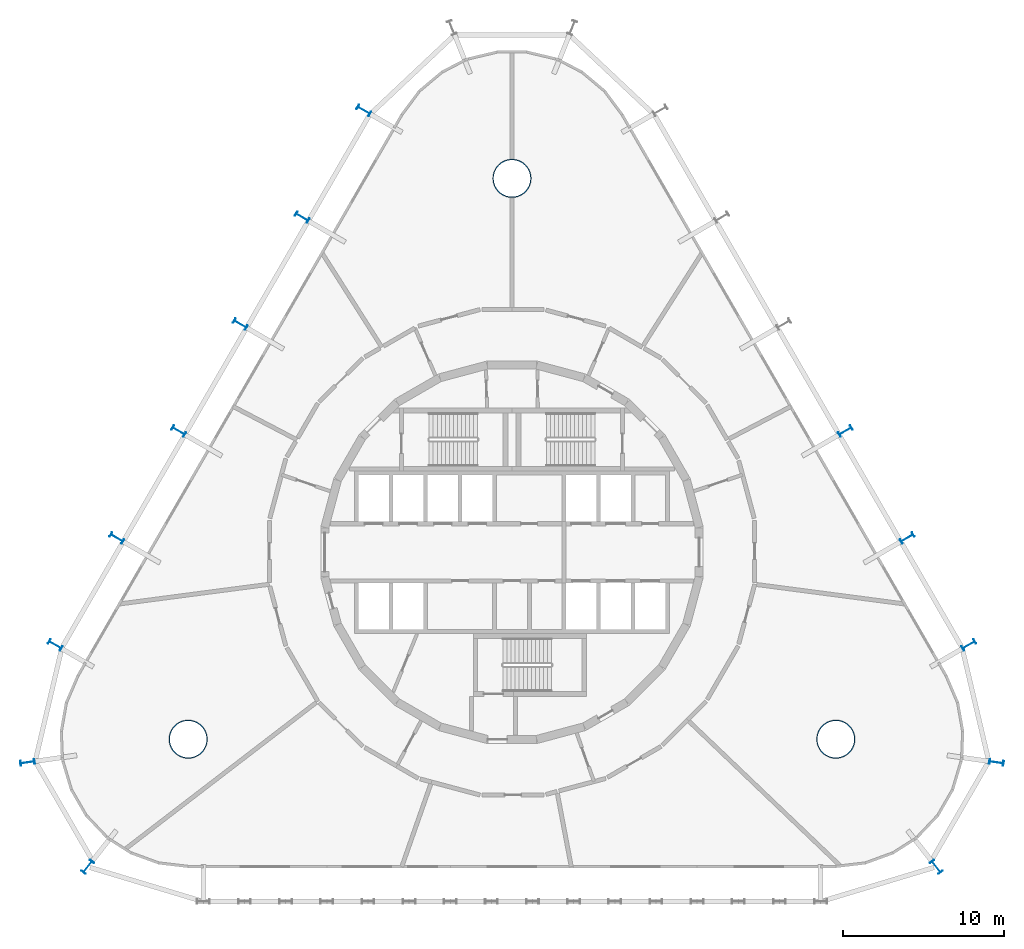
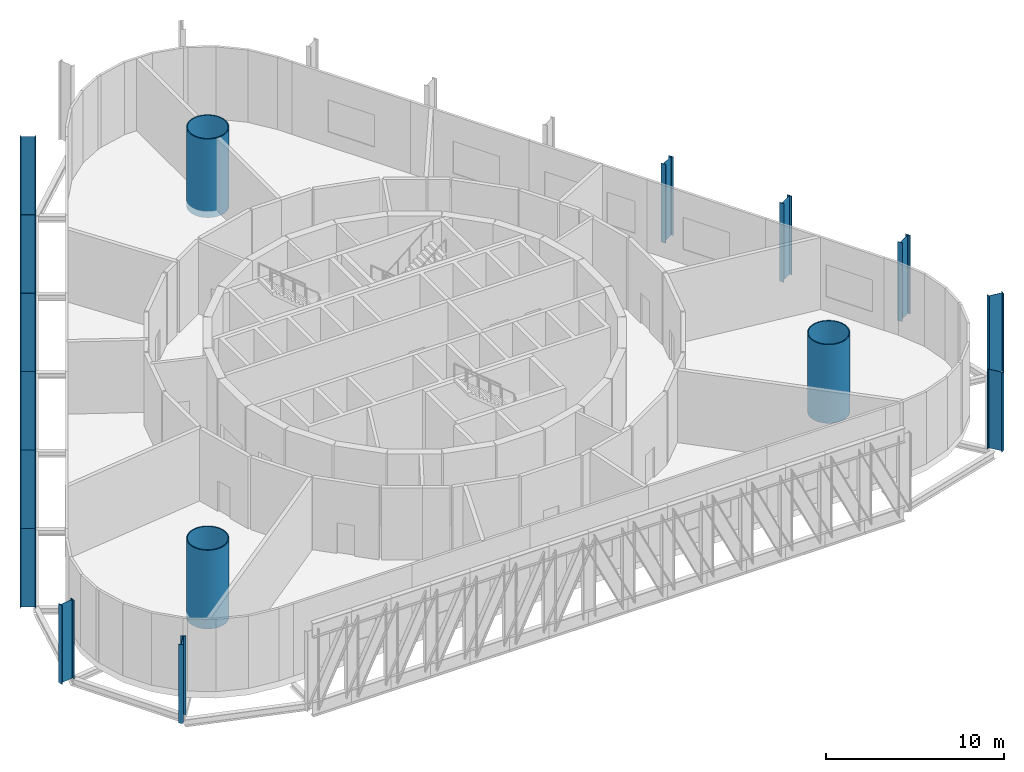
# One storey, part 1 of 11: 16 columns.
"""IFC4 building model written with IfcOpenShell, lengths in metres."""

import ifcopenshell
import ifcopenshell.guid

model = None  # the IFC model being written
_history = None  # IfcOwnerHistory: only IFC2X3 demands one
_inside = {}  # id of a spatial element -> (the spatial element, [elements in it])
_under = {}  # id of a project, library or spatial element -> (it, [spatial elements below it])
_declared = {}  # id of a project -> (the project, [libraries it declares])
_typed = {}  # id of a type object -> (the type object, [elements of that type])
_made_of = {}  # id of a material, layer set ... -> (it, [elements and type objects made of it])


def new_model(schema):
    """Start an empty IFC model of exactly this schema.

    Asked for "IFC4X3", IfcOpenShell would pick the latest addendum, in which some entities
    have other attributes; the version numbers below select the first issue.
    IFC2X3 requires an IfcOwnerHistory on every rooted entity: one is made here for all.
    """
    global model, _history
    if schema == "IFC4X3":
        model = ifcopenshell.file(schema_version=(4, 3, 0, 0))
    else:
        model = ifcopenshell.file(schema=schema)
    _inside.clear()
    _under.clear()
    _declared.clear()
    _typed.clear()
    _made_of.clear()
    _history = None
    if model.schema == "IFC2X3":
        org = make("IfcOrganization", Name="unknown")
        user = make(
            "IfcPersonAndOrganization",
            ThePerson=make("IfcPerson", FamilyName="unknown"),
            TheOrganization=org,
        )
        app = make(
            "IfcApplication",
            ApplicationDeveloper=org,
            Version="unknown",
            ApplicationFullName="unknown",
            ApplicationIdentifier="unknown",
        )
        _history = make(
            "IfcOwnerHistory",
            OwningUser=user,
            OwningApplication=app,
            ChangeAction="ADDED",
            CreationDate=0,
        )
    return model


def make(cls, **values):
    """One entity of the class cls with the attributes given. An attribute that is None is left unset."""
    return model.create_entity(
        cls, **{name: value for name, value in values.items() if value is not None}
    )


def rooted(cls, **values):
    """An entity with a GlobalId (a new one), such as an element, a storey or a relation."""
    return make(cls, GlobalId=ifcopenshell.guid.new(), OwnerHistory=_history, **values)


def si_unit(unit_type, name, prefix=None):
    """IfcSIUnit, for example si_unit("LENGTHUNIT", "METRE", prefix="MILLI")."""
    return make("IfcSIUnit", UnitType=unit_type, Prefix=prefix, Name=name)


def assignment(units):
    """IfcUnitAssignment: the units of a project."""
    return None if units is None else make("IfcUnitAssignment", Units=units)


def point(xyz):
    """IfcCartesianPoint."""
    return None if xyz is None else make("IfcCartesianPoint", Coordinates=xyz)


def direction(xyz):
    """IfcDirection."""
    return None if xyz is None else make("IfcDirection", DirectionRatios=xyz)


def frame(location, z_axis=None, x_axis=None):
    """IfcAxis2Placement3D, a coordinate frame: its origin and axes. An axis left out is left unset."""
    return make(
        "IfcAxis2Placement3D",
        Location=point(location),
        Axis=direction(z_axis),
        RefDirection=direction(x_axis),
    )


def frame_2d(location, x_axis=None):
    """IfcAxis2Placement2D, a coordinate frame in the plane: its origin and x axis."""
    return make(
        "IfcAxis2Placement2D", Location=point(location), RefDirection=direction(x_axis)
    )


def origin():
    """The frame at (0, 0, 0) with its axes left unset."""
    return frame((0.0, 0.0, 0.0))


def origin_2d():
    """The frame at (0, 0) in the plane with its x axis left unset."""
    return frame_2d((0.0, 0.0))


def place(relative_to, where):
    """IfcLocalPlacement: puts the frame where relative to a parent placement (None: the world)."""
    return make(
        "IfcLocalPlacement", PlacementRelTo=relative_to, RelativePlacement=where
    )


def context(
    kind, dimensions, precision=None, world=None, true_north=None, identifier=None
):
    """IfcGeometricRepresentationContext, for example the 3D "Model" context."""
    return make(
        "IfcGeometricRepresentationContext",
        ContextIdentifier=identifier,
        ContextType=kind,
        CoordinateSpaceDimension=dimensions,
        Precision=precision,
        WorldCoordinateSystem=world,
        TrueNorth=true_north,
    )


def subcontext(parent, identifier, kind, view, scale=None):
    """IfcGeometricRepresentationSubContext, for example "Body" below "Model"."""
    return make(
        "IfcGeometricRepresentationSubContext",
        ContextIdentifier=identifier,
        ContextType=kind,
        ParentContext=parent,
        TargetScale=scale,
        TargetView=view,
    )


def project(units=None, contexts=None):
    """IfcProject with its units and contexts."""
    return rooted(
        "IfcProject",
        Name="project",
        RepresentationContexts=contexts,
        UnitsInContext=assignment(units),
    )


def spatial(cls, under=None, at=None, **own):
    """A site, building, storey or space (cls), placed at a placement, below another one or the project."""
    s = rooted(cls, ObjectPlacement=at, **own)
    if under is not None:
        _under.setdefault(under.id(), (under, []))[1].append(s)
    return s


def profile(cls, at=None, kind="AREA", **sizes):
    """A parametric profile (cls). Its sizes go by their IFC names, for example OverallWidth=200.0."""
    return make(cls, ProfileType=kind, Position=at, **sizes)


def hollow_circle(**sizes):
    """IfcCircleHollowProfileDef."""
    return profile("IfcCircleHollowProfileDef", **sizes)


def i_section(**sizes):
    """IfcIShapeProfileDef."""
    return profile("IfcIShapeProfileDef", **sizes)


def extrude(swept, where, along, depth):
    """IfcExtrudedAreaSolid: the profile swept, set in the frame where, extruded along a direction by depth."""
    return make(
        "IfcExtrudedAreaSolid",
        SweptArea=swept,
        Position=where,
        ExtrudedDirection=direction(along),
        Depth=depth,
    )


def shape(context_of_items, identifier, shape_type, items):
    """IfcShapeRepresentation: the items that make up one representation, for example the "Body"."""
    return make(
        "IfcShapeRepresentation",
        ContextOfItems=context_of_items,
        RepresentationIdentifier=identifier,
        RepresentationType=shape_type,
        Items=items,
    )


def material(Name=None, Category=None):
    """IfcMaterial."""
    return make("IfcMaterial", Name=Name, Category=Category)


def material_profile(
    of_material, cross_section, Name=None, Category=None, Priority=None
):
    """IfcMaterialProfile: a cross section and its material."""
    return make(
        "IfcMaterialProfile",
        Name=Name,
        Material=of_material,
        Profile=cross_section,
        Priority=Priority,
        Category=Category,
    )


def profile_set(profiles, Name=None, composite=None):
    """IfcMaterialProfileSet."""
    return make(
        "IfcMaterialProfileSet",
        Name=Name,
        MaterialProfiles=profiles,
        CompositeProfile=composite,
    )


def made_of(thing, what):
    """Note that an element or type object is made of a material, layer set ...; save() writes the relation."""
    if what is not None:
        _made_of.setdefault(what.id(), (what, []))[1].append(thing)
    return thing


def type_object(cls, material=None, **own):
    """A type object (cls), such as IfcWallType, which elements share."""
    return made_of(rooted(cls, **own), material)


def element(
    cls,
    number,
    at=None,
    inside=None,
    cuts=None,
    type_object=None,
    material=None,
    context=None,
    identifier="Body",
    shape_type=None,
    held_by="IfcProductDefinitionShape",
    body=None,
    shapes=None,
    **own,
):
    """One element of the class cls, such as IfcWall. Its Tag is "e" and its number.

    at: its placement. inside: the storey or other place that contains it. cuts: it is an
    opening in that element (IfcRelVoidsElement). A single representation is given by context,
    identifier, shape_type and body (its items); several are given by shapes. held_by: the class
    of the entity that holds the representations. save() writes the other relations.
    """
    e = rooted(cls, Tag="e%d" % number, ObjectPlacement=at, **own)
    if body is not None:
        shapes = [shape(context, identifier, shape_type, body)]
    if shapes is not None:
        e.Representation = make(held_by, Representations=shapes)
    if inside is not None:
        _inside.setdefault(inside.id(), (inside, []))[1].append(e)
    if cuts is not None:
        rooted(
            "IfcRelVoidsElement", RelatingBuildingElement=cuts, RelatedOpeningElement=e
        )
    if type_object is not None:
        _typed.setdefault(type_object.id(), (type_object, []))[1].append(e)
    return made_of(e, material)


def aggregate(whole, parts):
    """IfcRelAggregates: a whole, such as a stair, and the parts it consists of."""
    return rooted("IfcRelAggregates", RelatingObject=whole, RelatedObjects=parts)


def save(model, path):
    """Write the relations noted so far, then the file.

    IfcRelAggregates (storeys below a building ...), IfcRelContainedInSpatialStructure (elements
    in a storey), IfcRelDefinesByType, IfcRelAssociatesMaterial and IfcRelDeclares: one each for
    every whole, place, type object, material and project.
    """
    for whole, parts in _under.values():
        aggregate(whole, parts)
    for where, things in _inside.values():
        rooted(
            "IfcRelContainedInSpatialStructure",
            RelatedElements=things,
            RelatingStructure=where,
        )
    for kind, things in _typed.values():
        rooted("IfcRelDefinesByType", RelatedObjects=things, RelatingType=kind)
    for what, things in _made_of.values():
        rooted("IfcRelAssociatesMaterial", RelatedObjects=things, RelatingMaterial=what)
    for by, libraries in _declared.values():
        rooted("IfcRelDeclares", RelatingContext=by, RelatedDefinitions=libraries)
    model.write(path)


model = new_model("IFC4")

# Units and contexts
model_context = context("Model", 3, precision=1e-05, world=origin(), true_north=direction((0.0, 1.0)))
body_context = subcontext(model_context, "Body", "Model", "MODEL_VIEW")
ifc_project = project(units=[si_unit("LENGTHUNIT", "METRE"), si_unit("AREAUNIT", "SQUARE_METRE"), si_unit("VOLUMEUNIT", "CUBIC_METRE"), si_unit("PLANEANGLEUNIT", "RADIAN"), si_unit("MASSUNIT", "GRAM", prefix="KILO")], contexts=[model_context])

# Site, building, storey
site_placement = place(None, origin())
site = spatial("IfcSite", under=ifc_project, at=site_placement, CompositionType="ELEMENT")
building_placement = place(site_placement, origin())
building = spatial("IfcBuilding", under=site, at=building_placement, Name="Spindle Arch Residences", CompositionType="ELEMENT")
storey_placement = place(building_placement, frame((0.0, 0.0, 33.0)))
storey = spatial("IfcBuildingStorey", under=building, at=storey_placement, Name="L06", CompositionType="ELEMENT", Elevation=33.0)

# Columns
ifc_material_1 = material(Name="Steel S460ML, intumescent coating R 240", Category="steel")
ifc_material_profile_1 = material_profile(ifc_material_1, i_section(OverallWidth=0.300048828125, OverallDepth=0.89990234375, WebThickness=0.0185546875, FlangeThickness=0.034912109375, FilletRadius=0.030029296875, at=origin_2d()), Name="HEB 900")
ifc_profile_set_1 = profile_set([ifc_material_profile_1], Name="Steel S460ML, intumescent coating R 240")
column_type_1 = type_object("IfcColumnType", Name="Exoskeleton post HEB 900", PredefinedType="COLUMN", material=ifc_profile_set_1)
for number, where, z_axis, x_axis, name in (
    (1, (26.3916015625, -19.565185546875, -0.449951171875), (0.0, 0.0, 1.0), (-0.7856835335, -0.618628632693, 0.0), "Exoskeleton post 4"),
    (2, (30.139892578125, -13.0732421875, -0.449951171875), (0.0, 0.0, 1.0), (-0.142906037553, -0.989736260036, 0.0), "Exoskeleton post 5"),
    (3, (28.418701171875, -5.762939453125, -0.449951171875), (0.0, 0.0, 1.0), (0.50000017485, -0.866025302835, 0.0), "Exoskeleton post 6"),
    (4, (24.57861328125, 0.88818359375, -0.449951171875), (0.0, 0.0, 1.0), (0.50000017485, -0.866025302835, 0.0), "Exoskeleton post 7"),
    (5, (20.73876953125, 7.539306640625, -0.449951171875), (0.0, 0.0, 1.0), (0.50000017485, -0.866025302835, 0.0), "Exoskeleton post 8"),
    (6, (-9.218505859375, 27.492919921875, -0.449951171875), (0.0, 0.0, 1.0), (0.50000017485, 0.866025302835, 0.0), "Exoskeleton post 14"),
    (7, (-13.05859375, 20.841796875, -0.449951171875), (0.0, 0.0, 1.0), (0.50000017485, 0.866025302835, 0.0), "Exoskeleton post 15"),
    (8, (-16.898681640625, 14.1904296875, -0.449951171875), (0.0, 0.0, 1.0), (0.50000017485, 0.866025302835, 0.0), "Exoskeleton post 16"),
    (9, (-20.73876953125, 7.539306640625, -0.449951171875), (0.0, 0.0, 1.0), (0.50000017485, 0.866025302835, 0.0), "Exoskeleton post 17"),
    (10, (-24.57861328125, 0.88818359375, -0.449951171875), (0.0, 0.0, 1.0), (0.50000017485, 0.866025302835, 0.0), "Exoskeleton post 18"),
    (11, (-28.418701171875, -5.762939453125, -0.449951171875), (0.0, 0.0, 1.0), (0.50000017485, 0.866025302835, 0.0), "Exoskeleton post 19"),
    (12, (-30.139892578125, -13.0732421875, -0.449951171875), (0.0, 0.0, 1.0), (-0.142906037553, 0.989736260036, 0.0), "Exoskeleton post 20"),
    (13, (-26.3916015625, -19.565185546875, -0.449951171875), (0.0, 0.0, 1.0), (-0.7856835335, 0.618628632693, 0.0), "Exoskeleton post 21"),
):
    element("IfcColumn", number, at=place(storey_placement, frame(where, z_axis=z_axis, x_axis=x_axis)), inside=storey, type_object=column_type_1, Name=name, PredefinedType="COLUMN", context=body_context, shape_type="SweptSolid", body=[
        extrude(i_section(OverallWidth=0.300048828125, OverallDepth=0.89990234375, WebThickness=0.0185546875, FlangeThickness=0.034912109375, FilletRadius=0.030029296875, at=origin_2d()), origin(), (0.0, 0.0, 1.0), 5.39990234375),
    ])
ifc_material_2 = material(Name="Concrete C50/60 filled steel tube S460ML, intumescent coating R 240", Category="concrete")
ifc_material_profile_2 = material_profile(ifc_material_2, hollow_circle(Radius=1.199951171875, WallThickness=0.06005859375, at=origin_2d()), Name="CFT D2400x60")
ifc_profile_set_2 = profile_set([ifc_material_profile_2], Name="Concrete C50/60 filled steel tube S460ML, intumescent coating R 240")
column_type_2 = type_object("IfcColumnType", Name="Mega-column CFT D2400x60", PredefinedType="COLUMN", material=ifc_profile_set_2)
for number, where, z_axis, x_axis, name in (
    (14, (20.1435546875, -11.6298828125, -0.449951171875), (0.0, 0.0, 1.0), (1.0, 0.0, 0.0), "Mega-column 1"),
    (15, (0.0, 23.259765625, -0.449951171875), (0.0, 0.0, 1.0), (1.0, 0.0, 0.0), "Mega-column 2"),
    (16, (-20.1435546875, -11.6298828125, -0.449951171875), (0.0, 0.0, 1.0), (1.0, 0.0, 0.0), "Mega-column 3"),
):
    element("IfcColumn", number, at=place(storey_placement, frame(where, z_axis=z_axis, x_axis=x_axis)), inside=storey, type_object=column_type_2, Name=name, PredefinedType="COLUMN", context=body_context, shape_type="SweptSolid", body=[
        extrude(hollow_circle(Radius=1.199951171875, WallThickness=0.06005859375, at=origin_2d()), origin(), (0.0, 0.0, 1.0), 5.39990234375),
    ])

save(model, "model.ifc")
